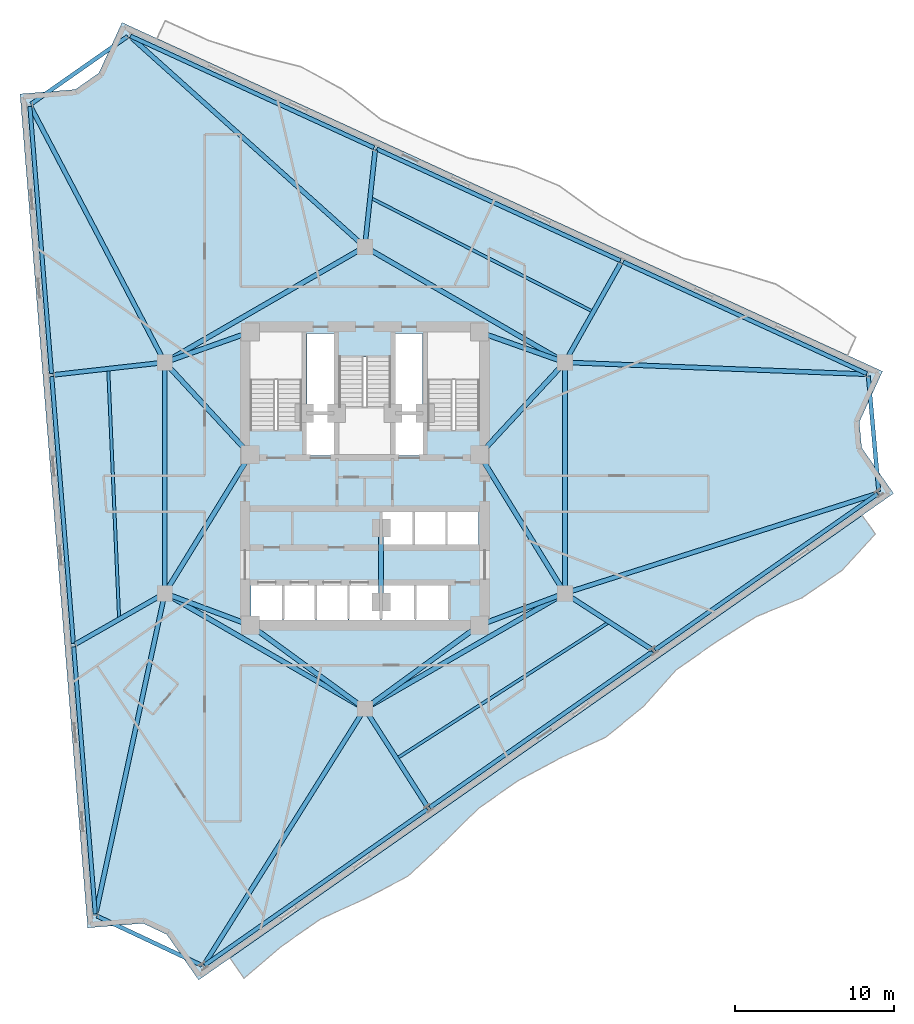
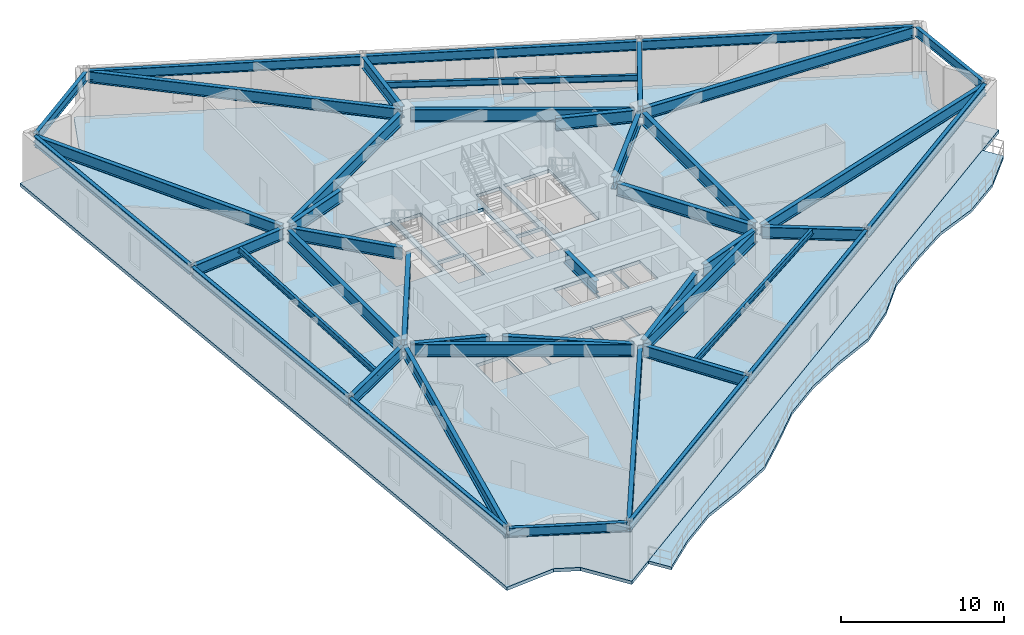
# One storey, part 3 of 10: 44 beams, 2 slabs.
"""IFC4 building model written with IfcOpenShell, lengths in metres."""

from ifc_helpers import new_model, si_unit, direction, frame, origin, origin_2d, place, context, subcontext, project, spatial, polyline, i_section, outline, extrude, material, layer, layer_set, material_profile, profile_set, type_object, element, save


model = new_model("IFC4")

# Units and contexts
model_context = context("Model", 3, precision=1e-05, world=origin(), true_north=direction((0.0, 1.0)))
body_context = subcontext(model_context, "Body", "Model", "MODEL_VIEW")
ifc_project = project(units=[si_unit("LENGTHUNIT", "METRE"), si_unit("AREAUNIT", "SQUARE_METRE"), si_unit("VOLUMEUNIT", "CUBIC_METRE"), si_unit("PLANEANGLEUNIT", "RADIAN"), si_unit("MASSUNIT", "GRAM", prefix="KILO")], contexts=[model_context])

# Site, building, storey
site_placement = place(None, origin())
site = spatial("IfcSite", under=ifc_project, at=site_placement, CompositionType="ELEMENT")
building_placement = place(site_placement, origin())
building = spatial("IfcBuilding", under=site, at=building_placement, Name="Apsidion Concourse Tower", CompositionType="ELEMENT")
storey_placement = place(building_placement, frame((0.0, 0.0, 210.60009765625)))
storey = spatial("IfcBuildingStorey", under=building, at=storey_placement, Name="L49", CompositionType="ELEMENT", Elevation=210.60009765625)

# Beams
ifc_material_1 = material(Name="Structural steel ASTM A992 Grade 50", Category="steel")
ifc_material_profile_1 = material_profile(ifc_material_1, i_section(OverallWidth=0.19091796875, OverallDepth=0.45703125, WebThickness=0.009033203125, FlangeThickness=0.014404296875, at=origin_2d()), Name="W18X50")
ifc_profile_set_1 = profile_set([ifc_material_profile_1], Name="Structural steel ASTM A992 Grade 50")
beam_type_1 = type_object("IfcBeamType", Name="BM-FL-W18", PredefinedType="BEAM", material=ifc_profile_set_1)
beam_1_placement = place(storey_placement, frame((-16.11181640625, 6.8505859375, 3.621337890625), z_axis=(0.043631006422, -0.999047714215, 0.0), x_axis=(0.999047714215, 0.043631006422, 0.0)))
element("IfcBeam", 1, at=beam_1_placement, inside=storey, type_object=beam_type_1, Name="L49 Secondary Floor Beam SEC-F1", PredefinedType="BEAM", context=body_context, shape_type="SweptSolid", body=[
    extrude(i_section(OverallWidth=0.19091796875, OverallDepth=0.45703125, WebThickness=0.009033203125, FlangeThickness=0.014404296875, at=origin_2d()), origin(), (0.0, 0.0, 1.0), 15.745849609375),
])
beam_2_placement = place(storey_placement, frame((1.998291015625, -17.62744140625, 3.621337890625), z_axis=(0.841372392943, 0.540455822796, 0.0), x_axis=(-0.540455822796, 0.841372392943, 0.0)))
element("IfcBeam", 2, at=beam_2_placement, inside=storey, type_object=beam_type_1, Name="L49 Secondary Floor Beam SEC-F2", PredefinedType="BEAM", context=body_context, shape_type="SweptSolid", body=[
    extrude(i_section(OverallWidth=0.19091796875, OverallDepth=0.45703125, WebThickness=0.009033203125, FlangeThickness=0.014404296875, at=origin_2d()), origin(), (0.0, 0.0, 1.0), 15.866943359375),
])
beam_3_placement = place(storey_placement, frame((14.345947265625, 10.4208984375, 3.621337890625), z_axis=(-0.89021964365, 0.455531542332, 0.0), x_axis=(-0.455531542332, -0.89021964365, 0.0)))
element("IfcBeam", 3, at=beam_3_placement, inside=storey, type_object=beam_type_1, Name="L49 Secondary Floor Beam SEC-F3", PredefinedType="BEAM", context=body_context, shape_type="SweptSolid", body=[
    extrude(i_section(OverallWidth=0.19091796875, OverallDepth=0.45703125, WebThickness=0.009033203125, FlangeThickness=0.014404296875, at=origin_2d()), origin(), (0.0, 0.0, 1.0), 15.742431640625),
])
ifc_material_profile_2 = material_profile(ifc_material_1, i_section(OverallWidth=0.2919921875, OverallDepth=0.85888671875, WebThickness=0.01708984375, FlangeThickness=0.031005859375, at=origin_2d()), Name="W33X169")
ifc_profile_set_2 = profile_set([ifc_material_profile_2], Name="Structural steel ASTM A992 Grade 50")
beam_type_2 = type_object("IfcBeamType", Name="BM-G-W33", PredefinedType="USERDEFINED", material=ifc_profile_set_2)
beam_4_placement = place(storey_placement, frame((-12.662109375, 7.44482421875, 3.42041015625), z_axis=(-0.464502454228, 0.885571832217, 0.0), x_axis=(-0.885571832217, -0.464502454228, 0.0)))
element("IfcBeam", 4, at=beam_4_placement, inside=storey, type_object=beam_type_2, Name="L49 Radial Floor Girder RAD-01", ObjectType="GIRDER", PredefinedType="USERDEFINED", context=body_context, shape_type="SweptSolid", body=[
    extrude(i_section(OverallWidth=0.2919921875, OverallDepth=0.85888671875, WebThickness=0.01708984375, FlangeThickness=0.031005859375, at=origin_2d()), origin(), (0.0, 0.0, 1.0), 17.93115234375),
])
beam_5_placement = place(storey_placement, frame((-12.778564453125, 7.225341796875, 3.42041015625), z_axis=(-0.993738563009, -0.111730337821, 0.0), x_axis=(0.111730337821, -0.993738563009, 0.0)))
element("IfcBeam", 5, at=beam_5_placement, inside=storey, type_object=beam_type_2, Name="L49 Radial Floor Girder RAD-02", ObjectType="GIRDER", PredefinedType="USERDEFINED", context=body_context, shape_type="SweptSolid", body=[
    extrude(i_section(OverallWidth=0.2919921875, OverallDepth=0.85888671875, WebThickness=0.01708984375, FlangeThickness=0.031005859375, at=origin_2d()), origin(), (0.0, 0.0, 1.0), 6.828369140625),
])
beam_6_placement = place(storey_placement, frame((-12.751220703125, -7.35888671875, 3.42041015625), z_axis=(-0.869137581248, -0.494570384134, 0.0), x_axis=(0.494570384134, -0.869137581248, 0.0)))
element("IfcBeam", 6, at=beam_6_placement, inside=storey, type_object=beam_type_2, Name="L49 Radial Floor Girder RAD-03", ObjectType="GIRDER", PredefinedType="USERDEFINED", context=body_context, shape_type="SweptSolid", body=[
    extrude(i_section(OverallWidth=0.2919921875, OverallDepth=0.85888671875, WebThickness=0.01708984375, FlangeThickness=0.031005859375, at=origin_2d()), origin(), (0.0, 0.0, 1.0), 6.272216796875),
])
beam_7_placement = place(storey_placement, frame((-12.606201171875, -7.465087890625, 3.42041015625), z_axis=(-0.210551493457, -0.97758276816, 0.0), x_axis=(0.97758276816, -0.210551493457, 0.0)))
element("IfcBeam", 7, at=beam_7_placement, inside=storey, type_object=beam_type_2, Name="L49 Radial Floor Girder RAD-04", ObjectType="GIRDER", PredefinedType="USERDEFINED", context=body_context, shape_type="SweptSolid", body=[
    extrude(i_section(OverallWidth=0.2919921875, OverallDepth=0.85888671875, WebThickness=0.01708984375, FlangeThickness=0.031005859375, at=origin_2d()), origin(), (0.0, 0.0, 1.0), 20.365966796875),
])
beam_8_placement = place(storey_placement, frame((-0.116943359375, -14.686279296875, 3.42041015625), z_axis=(-0.531745770751, -0.846904029562, 0.0), x_axis=(0.846904029562, -0.531745770751, 0.0)))
element("IfcBeam", 8, at=beam_8_placement, inside=storey, type_object=beam_type_2, Name="L49 Radial Floor Girder RAD-05", ObjectType="GIRDER", PredefinedType="USERDEFINED", context=body_context, shape_type="SweptSolid", body=[
    extrude(i_section(OverallWidth=0.2919921875, OverallDepth=0.85888671875, WebThickness=0.01708984375, FlangeThickness=0.031005859375, at=origin_2d()), origin(), (0.0, 0.0, 1.0), 18.7568359375),
])
beam_9_placement = place(storey_placement, frame((0.118408203125, -14.685302734375, 3.42041015625), z_axis=(0.538373682335, -0.842706222933, 0.0), x_axis=(0.842706222933, 0.538373682335, 0.0)))
element("IfcBeam", 9, at=beam_9_placement, inside=storey, type_object=beam_type_2, Name="L49 Radial Floor Girder RAD-06", ObjectType="GIRDER", PredefinedType="USERDEFINED", context=body_context, shape_type="SweptSolid", body=[
    extrude(i_section(OverallWidth=0.2919921875, OverallDepth=0.85888671875, WebThickness=0.01708984375, FlangeThickness=0.031005859375, at=origin_2d()), origin(), (0.0, 0.0, 1.0), 7.102783203125),
])
beam_10_placement = place(storey_placement, frame((12.744873046875, -7.369384765625, 3.42041015625), z_axis=(0.839870608356, -0.542786662714, 0.0), x_axis=(0.542786662714, 0.839870608356, 0.0)))
element("IfcBeam", 10, at=beam_10_placement, inside=storey, type_object=beam_type_2, Name="L49 Radial Floor Girder RAD-07", ObjectType="GIRDER", PredefinedType="USERDEFINED", context=body_context, shape_type="SweptSolid", body=[
    extrude(i_section(OverallWidth=0.2919921875, OverallDepth=0.85888671875, WebThickness=0.01708984375, FlangeThickness=0.031005859375, at=origin_2d()), origin(), (0.0, 0.0, 1.0), 6.319580078125),
])
beam_11_placement = place(storey_placement, frame((12.76953125, -7.18310546875, 3.42041015625), z_axis=(0.952593847726, 0.304244903449, 0.0), x_axis=(-0.304244903449, 0.952593847726, 0.0)))
element("IfcBeam", 11, at=beam_11_placement, inside=storey, type_object=beam_type_2, Name="L49 Radial Floor Girder RAD-08", ObjectType="GIRDER", PredefinedType="USERDEFINED", context=body_context, shape_type="SweptSolid", body=[
    extrude(i_section(OverallWidth=0.2919921875, OverallDepth=0.85888671875, WebThickness=0.01708984375, FlangeThickness=0.031005859375, at=origin_2d()), origin(), (0.0, 0.0, 1.0), 20.378173828125),
])
beam_12_placement = place(storey_placement, frame((12.77978515625, 7.2412109375, 3.42041015625), z_axis=(0.999223835847, -0.039391951902, 0.0), x_axis=(0.039391951902, 0.999223835847, 0.0)))
element("IfcBeam", 12, at=beam_12_placement, inside=storey, type_object=beam_type_2, Name="L49 Radial Floor Girder RAD-09", ObjectType="GIRDER", PredefinedType="USERDEFINED", context=body_context, shape_type="SweptSolid", body=[
    extrude(i_section(OverallWidth=0.2919921875, OverallDepth=0.85888671875, WebThickness=0.01708984375, FlangeThickness=0.031005859375, at=origin_2d()), origin(), (0.0, 0.0, 1.0), 18.73583984375),
])
beam_13_placement = place(storey_placement, frame((12.66796875, 7.441650390625, 3.42041015625), z_axis=(0.4907642116, 0.871292424283, 0.0), x_axis=(-0.871292424283, 0.4907642116, 0.0)))
element("IfcBeam", 13, at=beam_13_placement, inside=storey, type_object=beam_type_2, Name="L49 Radial Floor Girder RAD-10", ObjectType="GIRDER", PredefinedType="USERDEFINED", context=body_context, shape_type="SweptSolid", body=[
    extrude(i_section(OverallWidth=0.2919921875, OverallDepth=0.85888671875, WebThickness=0.01708984375, FlangeThickness=0.031005859375, at=origin_2d()), origin(), (0.0, 0.0, 1.0), 6.95849609375),
])
beam_14_placement = place(storey_placement, frame((0.0234375, 14.71875, 3.42041015625), z_axis=(0.106642710953, 0.994297406313, 0.0), x_axis=(-0.994297406313, 0.106642710953, 0.0)))
element("IfcBeam", 14, at=beam_14_placement, inside=storey, type_object=beam_type_2, Name="L49 Radial Floor Girder RAD-11", ObjectType="GIRDER", PredefinedType="USERDEFINED", context=body_context, shape_type="SweptSolid", body=[
    extrude(i_section(OverallWidth=0.2919921875, OverallDepth=0.85888671875, WebThickness=0.01708984375, FlangeThickness=0.031005859375, at=origin_2d()), origin(), (0.0, 0.0, 1.0), 5.899658203125),
])
beam_15_placement = place(storey_placement, frame((-0.163818359375, 14.64697265625, 3.42041015625), z_axis=(-0.74450463884, 0.667617287632, 0.0), x_axis=(-0.667617287632, -0.74450463884, 0.0)))
element("IfcBeam", 15, at=beam_15_placement, inside=storey, type_object=beam_type_2, Name="L49 Radial Floor Girder RAD-12", ObjectType="GIRDER", PredefinedType="USERDEFINED", context=body_context, shape_type="SweptSolid", body=[
    extrude(i_section(OverallWidth=0.2919921875, OverallDepth=0.85888671875, WebThickness=0.01708984375, FlangeThickness=0.031005859375, at=origin_2d()), origin(), (0.0, 0.0, 1.0), 19.566162109375),
])
ifc_material_profile_3 = material_profile(ifc_material_1, i_section(OverallWidth=0.31005859375, OverallDepth=0.931884765625, WebThickness=0.02099609375, FlangeThickness=0.034423828125, at=origin_2d()), Name="W36X210")
ifc_profile_set_3 = profile_set([ifc_material_profile_3], Name="Structural steel ASTM A992 Grade 50")
beam_type_3 = type_object("IfcBeamType", Name="BM-G-W36", PredefinedType="USERDEFINED", material=ifc_profile_set_3)
beam_16_placement = place(storey_placement, frame((-12.185302734375, -7.389892578125, 3.3837890625), z_axis=(0.936913021145, -0.349562570664, 0.0), x_axis=(0.349562570664, 0.936913021145, 0.0)))
element("IfcBeam", 16, at=beam_16_placement, inside=storey, type_object=beam_type_3, Name="L49 Core Coupling Girder IC1-SC1", ObjectType="GIRDER", PredefinedType="USERDEFINED", context=body_context, shape_type="SweptSolid", body=[
    extrude(i_section(OverallWidth=0.31005859375, OverallDepth=0.931884765625, WebThickness=0.02099609375, FlangeThickness=0.034423828125, at=origin_2d()), origin(), (0.0, 0.0, 1.0), 4.921142578125),
])
beam_17_placement = place(storey_placement, frame((-12.35009765625, -6.909423828125, 3.3837890625), z_axis=(0.524524009763, 0.851395656074, 0.0), x_axis=(-0.851395656074, 0.524524009763, 0.0)))
element("IfcBeam", 17, at=beam_17_placement, inside=storey, type_object=beam_type_3, Name="L49 Core Coupling Girder IC1-SC6", ObjectType="GIRDER", PredefinedType="USERDEFINED", context=body_context, shape_type="SweptSolid", body=[
    extrude(i_section(OverallWidth=0.31005859375, OverallDepth=0.931884765625, WebThickness=0.02099609375, FlangeThickness=0.034423828125, at=origin_2d()), origin(), (0.0, 0.0, 1.0), 9.41845703125),
])
beam_18_placement = place(storey_placement, frame((12.185302734375, -7.389892578125, 3.3837890625), z_axis=(-0.936913021145, -0.349562570664, 0.0), x_axis=(0.349562570664, -0.936913021145, 0.0)))
element("IfcBeam", 18, at=beam_18_placement, inside=storey, type_object=beam_type_3, Name="L49 Core Coupling Girder IC2-SC2", ObjectType="GIRDER", PredefinedType="USERDEFINED", context=body_context, shape_type="SweptSolid", body=[
    extrude(i_section(OverallWidth=0.31005859375, OverallDepth=0.931884765625, WebThickness=0.02099609375, FlangeThickness=0.034423828125, at=origin_2d()), origin(), (0.0, 0.0, 1.0), 4.921142578125),
])
beam_19_placement = place(storey_placement, frame((12.35009765625, -6.909423828125, 3.3837890625), z_axis=(-0.524524009763, 0.851395656074, 0.0), x_axis=(-0.851395656074, -0.524524009763, 0.0)))
element("IfcBeam", 19, at=beam_19_placement, inside=storey, type_object=beam_type_3, Name="L49 Core Coupling Girder IC2-SC3", ObjectType="GIRDER", PredefinedType="USERDEFINED", context=body_context, shape_type="SweptSolid", body=[
    extrude(i_section(OverallWidth=0.31005859375, OverallDepth=0.931884765625, WebThickness=0.02099609375, FlangeThickness=0.034423828125, at=origin_2d()), origin(), (0.0, 0.0, 1.0), 9.41845703125),
])
beam_20_placement = place(storey_placement, frame((12.28857421875, 6.956298828125, 3.3837890625), z_axis=(-0.678712876106, -0.73440372535, 0.0), x_axis=(0.73440372535, -0.678712876106, 0.0)))
element("IfcBeam", 20, at=beam_20_placement, inside=storey, type_object=beam_type_3, Name="L49 Core Coupling Girder IC3-SC3", ObjectType="GIRDER", PredefinedType="USERDEFINED", context=body_context, shape_type="SweptSolid", body=[
    extrude(i_section(OverallWidth=0.31005859375, OverallDepth=0.931884765625, WebThickness=0.02099609375, FlangeThickness=0.034423828125, at=origin_2d()), origin(), (0.0, 0.0, 1.0), 7.097412109375),
])
beam_21_placement = place(storey_placement, frame((12.18310546875, 7.383544921875, 3.3837890625), z_axis=(-0.942533844539, 0.334110688094, 0.0), x_axis=(-0.334110688094, -0.942533844539, 0.0)))
element("IfcBeam", 21, at=beam_21_placement, inside=storey, type_object=beam_type_3, Name="L49 Core Coupling Girder IC3-SC4", ObjectType="GIRDER", PredefinedType="USERDEFINED", context=body_context, shape_type="SweptSolid", body=[
    extrude(i_section(OverallWidth=0.31005859375, OverallDepth=0.931884765625, WebThickness=0.02099609375, FlangeThickness=0.034423828125, at=origin_2d()), origin(), (0.0, 0.0, 1.0), 4.886962890625),
])
beam_22_placement = place(storey_placement, frame((-12.28857421875, 6.956298828125, 3.3837890625), z_axis=(0.678712876106, -0.73440372535, 0.0), x_axis=(0.73440372535, 0.678712876106, 0.0)))
element("IfcBeam", 22, at=beam_22_placement, inside=storey, type_object=beam_type_3, Name="L49 Core Coupling Girder IC5-SC6", ObjectType="GIRDER", PredefinedType="USERDEFINED", context=body_context, shape_type="SweptSolid", body=[
    extrude(i_section(OverallWidth=0.31005859375, OverallDepth=0.931884765625, WebThickness=0.02099609375, FlangeThickness=0.034423828125, at=origin_2d()), origin(), (0.0, 0.0, 1.0), 7.097412109375),
])
beam_23_placement = place(storey_placement, frame((-12.18310546875, 7.383544921875, 3.3837890625), z_axis=(0.942533844539, 0.334110688094, 0.0), x_axis=(-0.334110688094, 0.942533844539, 0.0)))
element("IfcBeam", 23, at=beam_23_placement, inside=storey, type_object=beam_type_3, Name="L49 Core Coupling Girder IC5-SC5", ObjectType="GIRDER", PredefinedType="USERDEFINED", context=body_context, shape_type="SweptSolid", body=[
    extrude(i_section(OverallWidth=0.31005859375, OverallDepth=0.931884765625, WebThickness=0.02099609375, FlangeThickness=0.034423828125, at=origin_2d()), origin(), (0.0, 0.0, 1.0), 4.886962890625),
])
for number, where, z_axis, x_axis, name in (
    (24, (-0.3232421875, -14.264404296875, 3.3837890625), (-0.807993498909, 0.589191399905, 0.0), (-0.589191399905, -0.807993498909, 0.0), "L49 Core Coupling Girder IC6-SC1"),
    (25, (0.3232421875, -14.264404296875, 3.3837890625), (0.807993498909, 0.589191399905, 0.0), (-0.589191399905, 0.807993498909, 0.0), "L49 Core Coupling Girder IC6-SC2"),
):
    element("IfcBeam", number, at=place(storey_placement, frame(where, z_axis=z_axis, x_axis=x_axis)), inside=storey, type_object=beam_type_3, Name=name, ObjectType="GIRDER", PredefinedType="USERDEFINED", context=body_context, shape_type="SweptSolid", body=[
        extrude(i_section(OverallWidth=0.31005859375, OverallDepth=0.931884765625, WebThickness=0.02099609375, FlangeThickness=0.034423828125, at=origin_2d()), origin(), (0.0, 0.0, 1.0), 8.11083984375),
    ])
beam_24_placement = place(storey_placement, frame((-12.56005859375, -6.85009765625, 3.3837890625), z_axis=(0.0, 1.0, 0.0), x_axis=(-1.0, 0.0, 0.0)))
element("IfcBeam", 26, at=beam_24_placement, inside=storey, type_object=beam_type_3, Name="L49 Core Coupling Girder IC1-IC5", ObjectType="GIRDER", PredefinedType="USERDEFINED", context=body_context, shape_type="SweptSolid", body=[
    extrude(i_section(OverallWidth=0.31005859375, OverallDepth=0.931884765625, WebThickness=0.02099609375, FlangeThickness=0.034423828125, at=origin_2d()), origin(), (0.0, 0.0, 1.0), 13.7001953125),
])
for number, where, z_axis, x_axis, name in (
    (27, (-12.213623046875, 7.449951171875, 3.3837890625), (0.866070471464, 0.499921932364, 0.0), (-0.499921932364, 0.866070471464, 0.0), "L49 Core Coupling Girder IC5-IC4"),
    (28, (0.346435546875, 14.300048828125, 3.3837890625), (0.866070471464, -0.499921932364, 0.0), (0.499921932364, 0.866070471464, 0.0), "L49 Core Coupling Girder IC4-IC3"),
):
    element("IfcBeam", number, at=place(storey_placement, frame(where, z_axis=z_axis, x_axis=x_axis)), inside=storey, type_object=beam_type_3, Name=name, ObjectType="GIRDER", PredefinedType="USERDEFINED", context=body_context, shape_type="SweptSolid", body=[
        extrude(i_section(OverallWidth=0.31005859375, OverallDepth=0.931884765625, WebThickness=0.02099609375, FlangeThickness=0.034423828125, at=origin_2d()), origin(), (0.0, 0.0, 1.0), 13.702392578125),
    ])
beam_25_placement = place(storey_placement, frame((12.56005859375, 6.85009765625, 3.3837890625), z_axis=(0.0, -1.0, 0.0), x_axis=(1.0, 0.0, 0.0)))
element("IfcBeam", 29, at=beam_25_placement, inside=storey, type_object=beam_type_3, Name="L49 Core Coupling Girder IC3-IC2", ObjectType="GIRDER", PredefinedType="USERDEFINED", context=body_context, shape_type="SweptSolid", body=[
    extrude(i_section(OverallWidth=0.31005859375, OverallDepth=0.931884765625, WebThickness=0.02099609375, FlangeThickness=0.034423828125, at=origin_2d()), origin(), (0.0, 0.0, 1.0), 13.7001953125),
])
for number, where, z_axis, x_axis, name in (
    (30, (12.213623046875, -7.449951171875, 3.3837890625), (-0.866070471464, -0.499921932364, 0.0), (0.499921932364, -0.866070471464, 0.0), "L49 Core Coupling Girder IC2-IC6"),
    (31, (-0.346435546875, -14.300048828125, 3.3837890625), (-0.866070471464, 0.499921932364, 0.0), (-0.499921932364, -0.866070471464, 0.0), "L49 Core Coupling Girder IC6-IC1"),
):
    element("IfcBeam", number, at=place(storey_placement, frame(where, z_axis=z_axis, x_axis=x_axis)), inside=storey, type_object=beam_type_3, Name=name, ObjectType="GIRDER", PredefinedType="USERDEFINED", context=body_context, shape_type="SweptSolid", body=[
        extrude(i_section(OverallWidth=0.31005859375, OverallDepth=0.931884765625, WebThickness=0.02099609375, FlangeThickness=0.034423828125, at=origin_2d()), origin(), (0.0, 0.0, 1.0), 13.702392578125),
    ])
beam_26_placement = place(storey_placement, frame((1.02490234375, -3.550048828125, 3.3837890625), z_axis=(0.0, -1.0, 0.0), x_axis=(1.0, 0.0, 0.0)))
element("IfcBeam", 32, at=beam_26_placement, inside=storey, type_object=beam_type_3, Name="L49 Core Coupling Girder CC5-CC6", ObjectType="GIRDER", PredefinedType="USERDEFINED", context=body_context, shape_type="SweptSolid", body=[
    extrude(i_section(OverallWidth=0.31005859375, OverallDepth=0.931884765625, WebThickness=0.02099609375, FlangeThickness=0.034423828125, at=origin_2d()), origin(), (0.0, 0.0, 1.0), 3.849853515625),
])
ifc_material_profile_4 = material_profile(ifc_material_1, i_section(OverallWidth=0.256103515625, OverallDepth=0.693115234375, WebThickness=0.014404296875, FlangeThickness=0.023681640625, at=origin_2d()), Name="W27X114")
ifc_profile_set_4 = profile_set([ifc_material_profile_4], Name="Structural steel ASTM A992 Grade 50")
beam_type_4 = type_object("IfcBeamType", Name="BM-SP-W27", PredefinedType="SPANDREL", material=ifc_profile_set_4)
for number, where, z_axis, x_axis, name in (
    (33, (-21.029541015625, 23.31298828125, 3.50341796875), (0.080745704709, -0.996734734607, 0.0), (0.996734734607, 0.080745704709, 0.0), "L49 Perimeter Spandrel Girder SP-01"),
    (34, (-19.655517578125, 6.351318359375, 3.50341796875), (0.080745704709, -0.996734734607, 0.0), (0.996734734607, 0.080745704709, 0.0), "L49 Perimeter Spandrel Girder SP-02"),
):
    element("IfcBeam", number, at=place(storey_placement, frame(where, z_axis=z_axis, x_axis=x_axis)), inside=storey, type_object=beam_type_4, Name=name, PredefinedType="SPANDREL", context=body_context, shape_type="SweptSolid", body=[
        extrude(i_section(OverallWidth=0.256103515625, OverallDepth=0.693115234375, WebThickness=0.014404296875, FlangeThickness=0.023681640625, at=origin_2d()), origin(), (0.0, 0.0, 1.0), 16.817138671875),
    ])
beam_27_placement = place(storey_placement, frame((-18.281494140625, -10.610107421875, 3.50341796875), z_axis=(0.080744536336, -0.996734829256, 0.0), x_axis=(0.996734829256, 0.080744536336, 0.0)))
element("IfcBeam", 35, at=beam_27_placement, inside=storey, type_object=beam_type_4, Name="L49 Perimeter Spandrel Girder SP-03", PredefinedType="SPANDREL", context=body_context, shape_type="SweptSolid", body=[
    extrude(i_section(OverallWidth=0.256103515625, OverallDepth=0.693115234375, WebThickness=0.014404296875, FlangeThickness=0.023681640625, at=origin_2d()), origin(), (0.0, 0.0, 1.0), 16.8173828125),
])
beam_28_placement = place(storey_placement, frame((-16.824951171875, -27.514892578125, 3.50341796875), z_axis=(0.904961486734, -0.425493487057, 0.0), x_axis=(0.425493487057, 0.904961486734, 0.0)))
element("IfcBeam", 36, at=beam_28_placement, inside=storey, type_object=beam_type_4, Name="L49 Perimeter Spandrel Girder SP-04", PredefinedType="SPANDREL", context=body_context, shape_type="SweptSolid", body=[
    extrude(i_section(OverallWidth=0.256103515625, OverallDepth=0.693115234375, WebThickness=0.014404296875, FlangeThickness=0.023681640625, at=origin_2d()), origin(), (0.0, 0.0, 1.0), 7.282470703125),
])
beam_29_placement = place(storey_placement, frame((-10.06201171875, -30.598876953125, 3.50341796875), z_axis=(0.819150571533, 0.573578539659, 0.0), x_axis=(-0.573578539659, 0.819150571533, 0.0)))
element("IfcBeam", 37, at=beam_29_placement, inside=storey, type_object=beam_type_4, Name="L49 Perimeter Spandrel Girder SP-05", PredefinedType="SPANDREL", context=body_context, shape_type="SweptSolid", body=[
    extrude(i_section(OverallWidth=0.256103515625, OverallDepth=0.693115234375, WebThickness=0.014404296875, FlangeThickness=0.023681640625, at=origin_2d()), origin(), (0.0, 0.0, 1.0), 17.06201171875),
])
beam_30_placement = place(storey_placement, frame((4.078125, -20.69775390625, 3.50341796875), z_axis=(0.81915527902, 0.573571816649, 0.0), x_axis=(-0.573571816649, 0.81915527902, 0.0)))
element("IfcBeam", 38, at=beam_30_placement, inside=storey, type_object=beam_type_4, Name="L49 Perimeter Spandrel Girder SP-06", PredefinedType="SPANDREL", context=body_context, shape_type="SweptSolid", body=[
    extrude(i_section(OverallWidth=0.256103515625, OverallDepth=0.693115234375, WebThickness=0.014404296875, FlangeThickness=0.023681640625, at=origin_2d()), origin(), (0.0, 0.0, 1.0), 17.062255859375),
])
beam_31_placement = place(storey_placement, frame((18.218505859375, -10.79638671875, 3.50341796875), z_axis=(0.81916200197, 0.573562215046, 0.0), x_axis=(-0.573562215046, 0.81916200197, 0.0)))
element("IfcBeam", 39, at=beam_31_placement, inside=storey, type_object=beam_type_4, Name="L49 Perimeter Spandrel Girder SP-07", PredefinedType="SPANDREL", context=body_context, shape_type="SweptSolid", body=[
    extrude(i_section(OverallWidth=0.256103515625, OverallDepth=0.693115234375, WebThickness=0.014404296875, FlangeThickness=0.023681640625, at=origin_2d()), origin(), (0.0, 0.0, 1.0), 17.06201171875),
])
beam_32_placement = place(storey_placement, frame((32.267822265625, -0.853271484375, 3.50341796875), z_axis=(-0.090345320994, 0.99591049948, 0.0), x_axis=(-0.99591049948, -0.090345320994, 0.0)))
element("IfcBeam", 40, at=beam_32_placement, inside=storey, type_object=beam_type_4, Name="L49 Perimeter Spandrel Girder SP-08", PredefinedType="SPANDREL", context=body_context, shape_type="SweptSolid", body=[
    extrude(i_section(OverallWidth=0.256103515625, OverallDepth=0.693115234375, WebThickness=0.014404296875, FlangeThickness=0.023681640625, at=origin_2d()), origin(), (0.0, 0.0, 1.0), 7.28271484375),
])
beam_33_placement = place(storey_placement, frame((31.510009765625, 6.541015625, 3.50341796875), z_axis=(-0.909009828689, 0.416774676949, 0.0), x_axis=(-0.416774676949, -0.909009828689, 0.0)))
element("IfcBeam", 41, at=beam_33_placement, inside=storey, type_object=beam_type_4, Name="L49 Perimeter Spandrel Girder SP-09", PredefinedType="SPANDREL", context=body_context, shape_type="SweptSolid", body=[
    extrude(i_section(OverallWidth=0.256103515625, OverallDepth=0.693115234375, WebThickness=0.014404296875, FlangeThickness=0.023681640625, at=origin_2d()), origin(), (0.0, 0.0, 1.0), 16.8173828125),
])
beam_34_placement = place(storey_placement, frame((16.041015625, 13.63330078125, 3.50341796875), z_axis=(-0.909007306983, 0.416780176893, 0.0), x_axis=(-0.416780176893, -0.909007306983, 0.0)))
element("IfcBeam", 42, at=beam_34_placement, inside=storey, type_object=beam_type_4, Name="L49 Perimeter Spandrel Girder SP-10", PredefinedType="SPANDREL", context=body_context, shape_type="SweptSolid", body=[
    extrude(i_section(OverallWidth=0.256103515625, OverallDepth=0.693115234375, WebThickness=0.014404296875, FlangeThickness=0.023681640625, at=origin_2d()), origin(), (0.0, 0.0, 1.0), 16.817138671875),
])
beam_35_placement = place(storey_placement, frame((0.572509765625, 20.725830078125, 3.50341796875), z_axis=(-0.909009828689, 0.416774676949, 0.0), x_axis=(-0.416774676949, -0.909009828689, 0.0)))
element("IfcBeam", 43, at=beam_35_placement, inside=storey, type_object=beam_type_4, Name="L49 Perimeter Spandrel Girder SP-11", PredefinedType="SPANDREL", context=body_context, shape_type="SweptSolid", body=[
    extrude(i_section(OverallWidth=0.256103515625, OverallDepth=0.693115234375, WebThickness=0.014404296875, FlangeThickness=0.023681640625, at=origin_2d()), origin(), (0.0, 0.0, 1.0), 16.8173828125),
])
beam_36_placement = place(storey_placement, frame((-14.887451171875, 27.71923828125, 3.50341796875), z_axis=(-0.819157596458, -0.57356850695, 0.0), x_axis=(0.57356850695, -0.819157596458, 0.0)))
element("IfcBeam", 44, at=beam_36_placement, inside=storey, type_object=beam_type_4, Name="L49 Perimeter Spandrel Girder SP-12", PredefinedType="SPANDREL", context=body_context, shape_type="SweptSolid", body=[
    extrude(i_section(OverallWidth=0.256103515625, OverallDepth=0.693115234375, WebThickness=0.014404296875, FlangeThickness=0.023681640625, at=origin_2d()), origin(), (0.0, 0.0, 1.0), 7.407958984375),
])

# Slabs
ifc_material_2 = material(Name="Concrete C50/60", Category="concrete")
ifc_layer_1 = layer(ifc_material_2, 0.219970703125)
ifc_layer_set_1 = layer_set([ifc_layer_1], Name="Concrete C50/60")
slab_type_1 = type_object("IfcSlabType", Name="SL-BAL-220", PredefinedType="FLOOR", material=ifc_layer_set_1)
slab_1_placement = place(storey_placement, frame((0.0, 0.0, -0.22021484375)))
element("IfcSlab", 45, at=slab_1_placement, inside=storey, type_object=slab_type_1, Name="L49 Face 2 Rippling Balcony Slab", PredefinedType="FLOOR", context=body_context, shape_type="SweptSolid", body=[
    extrude(outline(polyline([(-8.46728515625, -30.153564453125), (-5.986083984375, -28.416259765625), (-3.5048828125, -26.678955078125), (-1.023681640625, -24.941650390625), (1.457275390625, -23.204345703125), (3.9384765625, -21.467041015625), (6.419677734375, -19.729736328125), (8.90087890625, -17.992431640625), (11.3818359375, -16.255126953125), (13.863037109375, -14.517578125), (16.34423828125, -12.780517578125), (18.8251953125, -11.043212890625), (21.306396484375, -9.305908203125), (23.78759765625, -7.568603515625), (26.268798828125, -5.831298828125), (28.75, -4.093994140625), (31.23095703125, -2.356689453125), (32.052734375, -3.530029296875), (29.9541015625, -5.813720703125), (27.459716796875, -7.5322265625), (24.586181640625, -8.708984375), (22.0234375, -10.329833984375), (19.542236328125, -12.067138671875), (17.46533203125, -14.381591796875), (15.109375, -16.297607421875), (12.3046875, -17.572998046875), (9.61767578125, -19.016357421875), (7.13671875, -20.753662109375), (4.950439453125, -22.912109375), (2.71875, -25.005859375), (0.01953125, -26.431640625), (-2.7880859375, -27.702880859375), (-5.26904296875, -29.440185546875), (-7.578125, -31.423095703125), (-8.46728515625, -30.153564453125)])), origin(), (0.0, 0.0, 1.0), 0.22021484375),
])
ifc_layer_2 = layer(ifc_material_2, 0.25)
ifc_layer_set_2 = layer_set([ifc_layer_2], Name="Concrete C50/60")
slab_type_2 = type_object("IfcSlabType", Name="SL-FLR-250", PredefinedType="FLOOR", material=ifc_layer_set_2)
slab_2_placement = place(storey_placement, frame((0.0, 0.0, -0.25)))
element("IfcSlab", 46, at=slab_2_placement, inside=storey, type_object=slab_type_2, Name="L49 Structural Floor Slab", PredefinedType="FLOOR", context=body_context, shape_type="SweptSolid", body=[
    extrude(outline(polyline([(-15.241943359375, 28.5869140625), (-16.6982421875, 25.41259765625), (-18.1689453125, 24.3828125), (-21.64990234375, 24.10009765625), (-17.39892578125, -28.25537109375), (-13.91796875, -27.972900390625), (-12.436279296875, -28.669189453125), (-10.43310546875, -31.530029296875), (33.197021484375, -0.97998046875), (31.19384765625, 1.880859375), (31.0458984375, 3.51123046875), (32.502197265625, 6.685791015625), (-15.241943359375, 28.5869140625)]), holes=[polyline([(-3.949951171875, 3.0), (-3.949951171875, 9.14990234375), (-7.199951171875, 9.14990234375), (-7.199951171875, 3.0), (-3.949951171875, 3.0)]), polyline([(7.199951171875, 3.0), (7.199951171875, 9.14990234375), (3.949951171875, 9.14990234375), (3.949951171875, 3.0), (7.199951171875, 3.0)]), polyline([(-1.625, 7.60009765625), (-1.625, 1.449951171875), (1.625, 1.449951171875), (1.625, 7.60009765625), (-1.625, 7.60009765625)]), polyline([(1.054931640625, -4.300048828125), (3.044921875, -4.300048828125), (3.044921875, -2.050048828125), (1.054931640625, -2.050048828125), (1.054931640625, -4.300048828125)]), polyline([(3.10498046875, -4.300048828125), (5.094970703125, -4.300048828125), (5.094970703125, -2.050048828125), (3.10498046875, -2.050048828125), (3.10498046875, -4.300048828125)]), polyline([(5.155029296875, -4.300048828125), (7.14501953125, -4.300048828125), (7.14501953125, -2.050048828125), (5.155029296875, -2.050048828125), (5.155029296875, -4.300048828125)]), polyline([(-7.14501953125, -8.949951171875), (-5.155029296875, -8.949951171875), (-5.155029296875, -6.64990234375), (-7.14501953125, -6.64990234375), (-7.14501953125, -8.949951171875)]), polyline([(-5.094970703125, -8.949951171875), (-3.10498046875, -8.949951171875), (-3.10498046875, -6.64990234375), (-5.094970703125, -6.64990234375), (-5.094970703125, -8.949951171875)]), polyline([(-3.044921875, -8.949951171875), (-1.054931640625, -8.949951171875), (-1.054931640625, -6.64990234375), (-3.044921875, -6.64990234375), (-3.044921875, -8.949951171875)]), polyline([(-0.9951171875, -8.949951171875), (0.9951171875, -8.949951171875), (0.9951171875, -6.64990234375), (-0.9951171875, -6.64990234375), (-0.9951171875, -8.949951171875)]), polyline([(1.044921875, -9.0), (3.155029296875, -9.0), (3.155029296875, -6.64990234375), (1.044921875, -6.64990234375), (1.044921875, -9.0)]), polyline([(3.195068359375, -9.0), (5.304931640625, -9.0), (5.304931640625, -6.64990234375), (3.195068359375, -6.64990234375), (3.195068359375, -9.0)]), polyline([(-3.7099609375, 1.39990234375), (-1.85009765625, 1.39990234375), (-1.85009765625, 4.0), (-3.7099609375, 4.0), (-3.7099609375, 1.39990234375)]), polyline([(1.85009765625, 1.39990234375), (3.7099609375, 1.39990234375), (3.7099609375, 4.0), (1.85009765625, 4.0), (1.85009765625, 1.39990234375)]), polyline([(-3.6201171875, 4.14990234375), (-1.93994140625, 4.14990234375), (-1.93994140625, 9.050048828125), (-3.6201171875, 9.050048828125), (-3.6201171875, 4.14990234375)]), polyline([(1.93994140625, 4.14990234375), (3.6201171875, 4.14990234375), (3.6201171875, 9.050048828125), (1.93994140625, 9.050048828125), (1.93994140625, 4.14990234375)])]), origin(), (0.0, 0.0, 1.0), 0.25),
])

save(model, "model.ifc")
